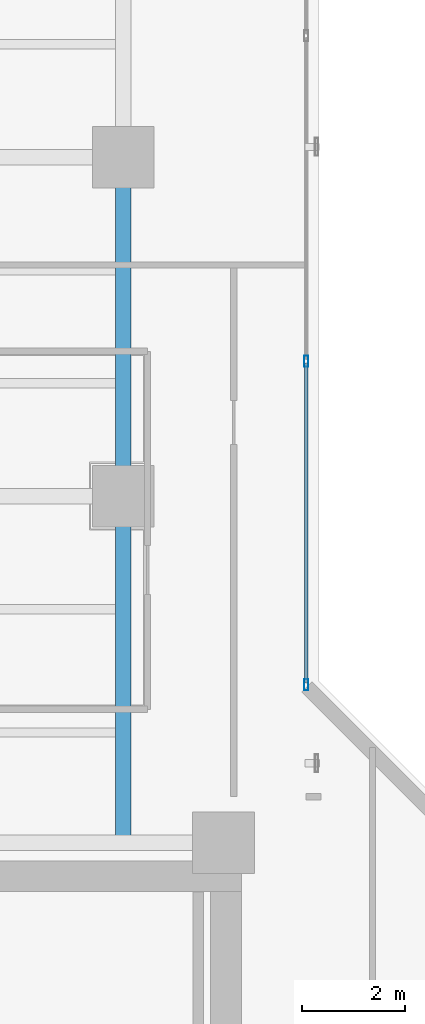
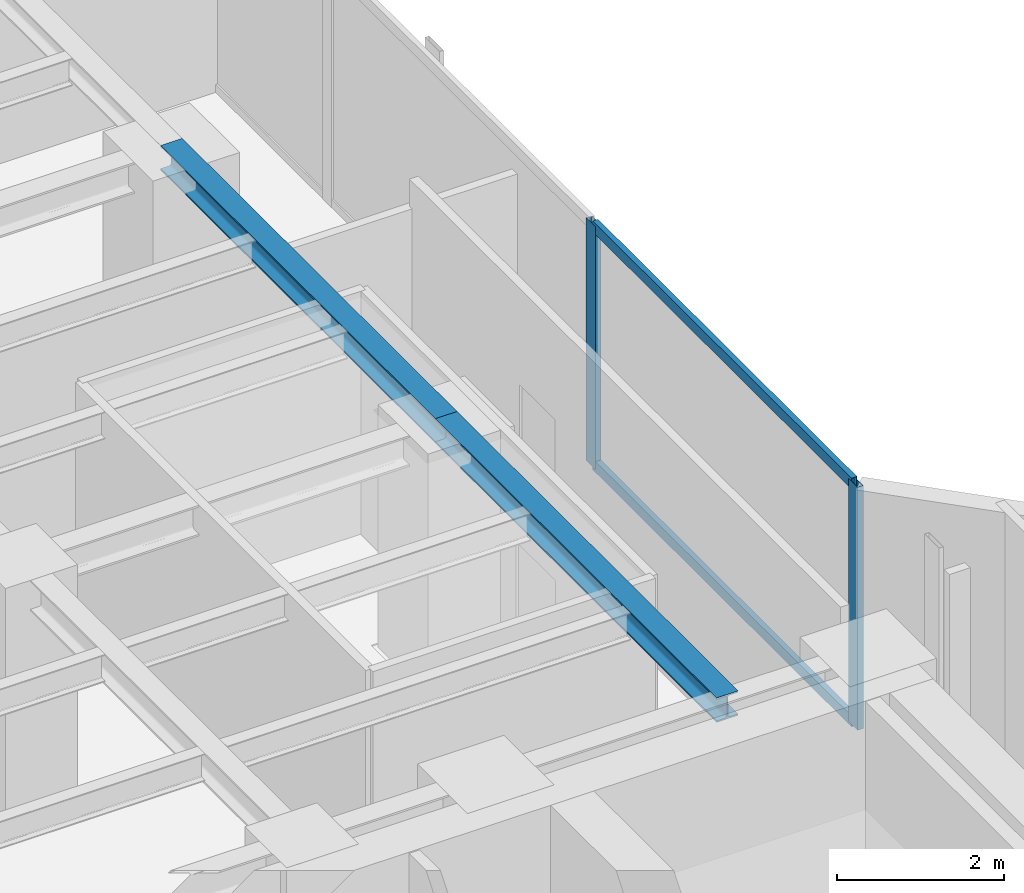
# One storey, part 10 of 28: 4 members, 2 beams, 1 element without a shape of its own.
"""IFC4 building model written with IfcOpenShell, lengths in metres."""

from ifc_helpers import new_model, si_unit, direction, frame, origin, origin_with_axes, origin_2d, place, context, subcontext, project, spatial, hollow_rectangle, i_section, extrude, source, transform, mapped, material, layer, layer_set, material_profile, profile_set, type_object, element, aggregate, save


model = new_model("IFC4")

# Units and contexts
model_context = context("Model", 3, precision=1e-05, world=origin(), true_north=direction((0.0, 1.0)))
body_context = subcontext(model_context, "Body", "Model", "MODEL_VIEW")
ifc_project = project(units=[si_unit("LENGTHUNIT", "METRE"), si_unit("AREAUNIT", "SQUARE_METRE"), si_unit("VOLUMEUNIT", "CUBIC_METRE"), si_unit("PLANEANGLEUNIT", "RADIAN"), si_unit("MASSUNIT", "GRAM", prefix="KILO")], contexts=[model_context])

# Site, building, storey
site_placement = place(None, origin())
site = spatial("IfcSite", under=ifc_project, at=site_placement, CompositionType="ELEMENT")
building_placement = place(site_placement, origin())
building = spatial("IfcBuilding", under=site, at=building_placement, Name="Kolvaren Waterfront Exchange", CompositionType="ELEMENT")
storey_placement = place(building_placement, frame((0.0, 0.0, 146.199951171875)))
storey = spatial("IfcBuildingStorey", under=building, at=storey_placement, Name="L37", CompositionType="ELEMENT", Elevation=146.199951171875)

# Beams
ifc_material_1 = material(Name="Steel S355", Category="steel")
ifc_material_profile_1 = material_profile(ifc_material_1, i_section(OverallWidth=0.300048828125, OverallDepth=0.360107421875, WebThickness=0.012451171875, FlangeThickness=0.0224609375, FilletRadius=0.027099609375, at=origin_2d()), Name="HEB360")
ifc_profile_set_1 = profile_set([ifc_material_profile_1], Name="Steel S355")
beam_type = type_object("IfcBeamType", Name="STR-BM-HEB360", PredefinedType="SPANDREL", material=ifc_profile_set_1)
beam_1_placement = place(storey_placement, frame((18.800048828125, 24.449951171875, 3.380126953125), z_axis=(0.0, 1.0, 0.0), x_axis=(-1.0, 0.0, 0.0)))
element("IfcBeam", 1, at=beam_1_placement, inside=storey, type_object=beam_type, Name="L37 north-arm edge beam 1", PredefinedType="SPANDREL", context=body_context, shape_type="SweptSolid", body=[
    extrude(i_section(OverallWidth=0.300048828125, OverallDepth=0.360107421875, WebThickness=0.012451171875, FlangeThickness=0.0224609375, FilletRadius=0.027099609375, at=origin_2d()), origin(), (0.0, 0.0, 1.0), 6.75),
])
beam_2_placement = place(storey_placement, frame((18.800048828125, 31.199951171875, 3.380126953125), z_axis=(0.0, 1.0, 0.0), x_axis=(-1.0, 0.0, 0.0)))
element("IfcBeam", 2, at=beam_2_placement, inside=storey, type_object=beam_type, Name="L37 north-arm edge beam 2", PredefinedType="SPANDREL", context=body_context, shape_type="SweptSolid", body=[
    extrude(i_section(OverallWidth=0.300048828125, OverallDepth=0.360107421875, WebThickness=0.012451171875, FlangeThickness=0.0224609375, FilletRadius=0.027099609375, at=origin_2d()), origin(), (0.0, 0.0, 1.0), 6.60009765625),
])

# Curtain wall, members
ifc_material_2 = material(Name="Anodised bronze aluminium 6063-T6", Category="aluminium")
ifc_layer = layer(ifc_material_2, 0.219970703125, Name="Anodised bronze aluminium 6063-T6")
ifc_layer_set = layer_set([ifc_layer], Name="Anodised bronze aluminium 6063-T6")
curtain_wall_type = type_object("IfcCurtainWallType", Name="ARC-CW-SYS1", PredefinedType="USERDEFINED", material=ifc_layer_set)
curtain_wall_placement = place(storey_placement, origin())
curtain_wall = element("IfcCurtainWall", 3, at=curtain_wall_placement, inside=storey, type_object=curtain_wall_type, Name="L37 stick curtain wall CW1 (CW-L37-NE)", ObjectType="STICK CURTAIN WALL", PredefinedType="USERDEFINED")
ifc_material_3 = material(Name="Anodised aluminium 6063-T6", Category="aluminium")
ifc_material_profile_2 = material_profile(ifc_material_3, hollow_rectangle(XDim=0.080078125, YDim=0.219970703125, WallThickness=0.0048828125, at=origin_2d()), Name="ALU-MUL-220x80x5")
ifc_profile_set_2 = profile_set([ifc_material_profile_2], Name="Anodised aluminium 6063-T6")
member_type_1 = type_object("IfcMemberType", Name="ARC-CWM-220", PredefinedType="MULLION", material=ifc_profile_set_2)
shared_shape_1 = source(origin_with_axes(), body_context, "Body", "SweptSolid", [
    extrude(hollow_rectangle(XDim=0.080078125, YDim=0.219970703125, WallThickness=0.0048828125, at=origin_2d()), origin(), (0.0, 0.0, 1.0), 3.56005859375),
])
member_1_placement = place(storey_placement, frame((22.360107421875, 27.530029296875, 0.0), z_axis=(0.0, 0.0, 1.0), x_axis=(-1.0, 0.0, 0.0)))
member_1 = element("IfcMember", 4, at=member_1_placement, type_object=member_type_1, Name="CW1 mullion 1", PredefinedType="MULLION", context=body_context, shape_type="MappedRepresentation", body=[
    mapped(shared_shape_1, transform((0.0, 0.0, 0.0), x_axis=(1.0, 0.0, 0.0), y_axis=(0.0, 1.0, 0.0), z_axis=(0.0, 0.0, 1.0), scale=1.0)),
])
member_2_placement = place(storey_placement, frame((22.360107421875, 33.82666015625, 0.0), z_axis=(0.0, 0.0, 1.0), x_axis=(-1.0, 0.0, 0.0)))
member_2 = element("IfcMember", 5, at=member_2_placement, type_object=member_type_1, Name="CW1 mullion 2", PredefinedType="MULLION", context=body_context, shape_type="MappedRepresentation", body=[
    mapped(shared_shape_1, transform((0.0, 0.0, 0.0), x_axis=(1.0, 0.0, 0.0), y_axis=(0.0, 1.0, 0.0), z_axis=(0.0, 0.0, 1.0), scale=1.0)),
])
ifc_material_profile_3 = material_profile(ifc_material_3, hollow_rectangle(XDim=0.074951171875, YDim=0.159912109375, WallThickness=0.00439453125, at=origin_2d()), Name="ALU-TRN-160x75x4.5")
ifc_profile_set_3 = profile_set([ifc_material_profile_3], Name="Anodised aluminium 6063-T6")
member_type_2 = type_object("IfcMemberType", Name="ARC-CWT-160", PredefinedType="USERDEFINED", material=ifc_profile_set_3)
shared_shape_2 = source(origin_with_axes(), body_context, "Body", "SweptSolid", [
    extrude(hollow_rectangle(XDim=0.074951171875, YDim=0.159912109375, WallThickness=0.00439453125, at=origin_2d()), origin(), (0.0, 0.0, 1.0), 6.216552734375),
])
member_3_placement = place(storey_placement, frame((22.360107421875, 27.570068359375, 0.03759765625), z_axis=(0.0, 1.0, 0.0), x_axis=(-1.0, 0.0, 0.0)))
member_3 = element("IfcMember", 6, at=member_3_placement, type_object=member_type_2, Name="CW1 transom 1.1", ObjectType="TRANSOM", PredefinedType="USERDEFINED", context=body_context, shape_type="MappedRepresentation", body=[
    mapped(shared_shape_2, transform((0.0, 0.0, 0.0), x_axis=(1.0, 0.0, 0.0), y_axis=(0.0, 1.0, 0.0), z_axis=(0.0, 0.0, 1.0), scale=1.0)),
])
member_4_placement = place(storey_placement, frame((22.360107421875, 27.570068359375, 3.5224609375), z_axis=(0.0, 1.0, 0.0), x_axis=(-1.0, 0.0, 0.0)))
member_4 = element("IfcMember", 7, at=member_4_placement, type_object=member_type_2, Name="CW1 transom 1.2", ObjectType="TRANSOM", PredefinedType="USERDEFINED", context=body_context, shape_type="MappedRepresentation", body=[
    mapped(shared_shape_2, transform((0.0, 0.0, 0.0), x_axis=(1.0, 0.0, 0.0), y_axis=(0.0, 1.0, 0.0), z_axis=(0.0, 0.0, 1.0), scale=1.0)),
])
aggregate(curtain_wall, [member_1, member_2, member_3, member_4])

save(model, "model.ifc")
